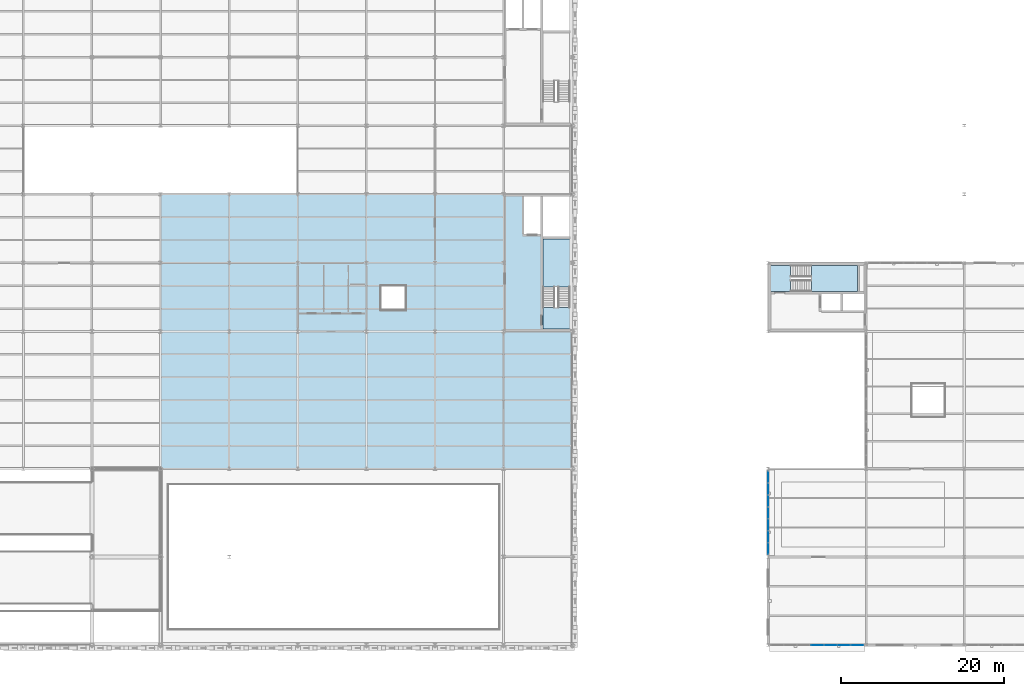
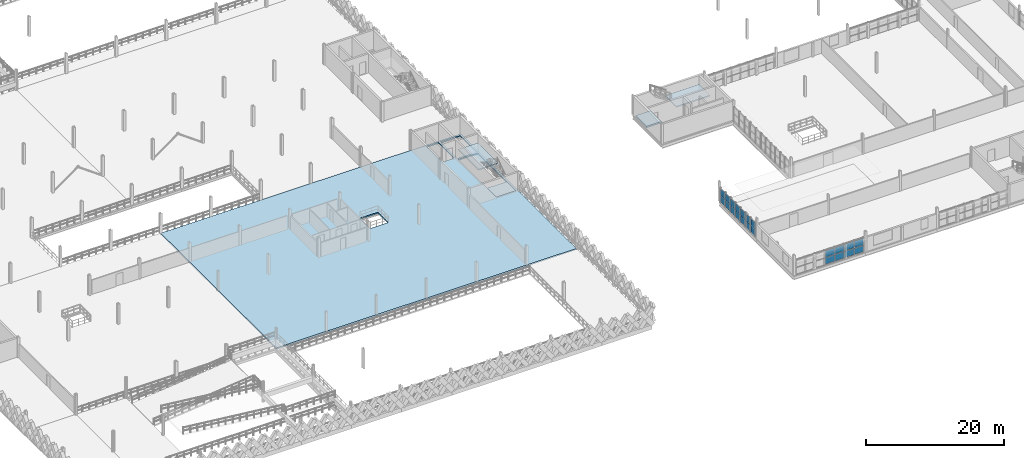
# One storey, part 49 of 79: 22 plates, 5 slabs, 4 elements without a shape of their own.
"""IFC4 building model written with IfcOpenShell, lengths in metres."""

from ifc_helpers import new_model, si_unit, direction, frame, origin, origin_2d, place, context, subcontext, project, spatial, polyline, rectangle, outline, extrude, material, layer, layer_set, type_object, element, aggregate, save


model = new_model("IFC4")

# Units and contexts
model_context = context("Model", 3, precision=1e-05, world=origin(), true_north=direction((0.0, 1.0)))
body_context = subcontext(model_context, "Body", "Model", "MODEL_VIEW")
ifc_project = project(units=[si_unit("LENGTHUNIT", "METRE"), si_unit("AREAUNIT", "SQUARE_METRE"), si_unit("VOLUMEUNIT", "CUBIC_METRE"), si_unit("PLANEANGLEUNIT", "RADIAN"), si_unit("MASSUNIT", "GRAM", prefix="KILO"), si_unit("THERMODYNAMICTEMPERATUREUNIT", "KELVIN"), si_unit("POWERUNIT", "WATT")], contexts=[model_context])

# Site, building, storey
site_placement = place(None, origin())
site = spatial("IfcSite", under=ifc_project, at=site_placement, CompositionType="ELEMENT")
building_placement = place(site_placement, origin())
building = spatial("IfcBuilding", under=site, at=building_placement, Name="Tembeka Court Mobility Hub", CompositionType="ELEMENT")
storey_placement = place(building_placement, frame((0.0, 0.0, 9.0)))
storey = spatial("IfcBuildingStorey", under=building, at=storey_placement, Name="L02", CompositionType="ELEMENT", Elevation=9.0)

# Curtain wall, plates
ifc_material_1 = material(Name="Anodised aluminium 6063-T6", Category="aluminium")
ifc_layer_1 = layer(ifc_material_1, 0.159912109375)
ifc_layer_set_1 = layer_set([ifc_layer_1], Name="Anodised aluminium 6063-T6")
curtain_wall_type_1 = type_object("IfcCurtainWallType", Name="CW-SYS48", PredefinedType="USERDEFINED", material=ifc_layer_set_1)
curtain_wall_1_placement = place(storey_placement, origin())
curtain_wall_1 = element("IfcCurtainWall", 1, at=curtain_wall_1_placement, inside=storey, type_object=curtain_wall_type_1, Name="Unitised curtain wall CW48 (CW-L02-119)", ObjectType="UNITISED GLAZING", PredefinedType="USERDEFINED")
ifc_material_2 = material(Name="Laminated solar-control low-E glass", Category="glass")
ifc_layer_2 = layer(ifc_material_2, 0.028076171875)
ifc_layer_set_2 = layer_set([ifc_layer_2], Name="Laminated solar-control low-E glass")
plate_type = type_object("IfcPlateType", Name="PL-CW01", PredefinedType="CURTAIN_PANEL", material=ifc_layer_set_2)
plate_1_placement = place(storey_placement, frame((122.413818359375, 0.0, 0.06494140625), z_axis=(0.0, 0.0, 1.0), x_axis=(1.0, 0.0, 0.0)))
plate_1 = element("IfcPlate", 2, at=plate_1_placement, type_object=plate_type, Name="CW48 panel 1.1", PredefinedType="CURTAIN_PANEL", context=body_context, shape_type="SweptSolid", body=[
    extrude(rectangle(XDim=1.53759765625, YDim=0.028076171875, at=origin_2d()), origin(), (0.0, 0.0, 1.0), 1.169921875),
])
plate_2_placement = place(storey_placement, frame((122.413818359375, 0.0, 1.300048828125), z_axis=(0.0, 0.0, 1.0), x_axis=(1.0, 0.0, 0.0)))
plate_2 = element("IfcPlate", 3, at=plate_2_placement, type_object=plate_type, Name="CW48 panel 1.2", PredefinedType="CURTAIN_PANEL", context=body_context, shape_type="SweptSolid", body=[
    extrude(rectangle(XDim=1.53759765625, YDim=0.028076171875, at=origin_2d()), origin(), (0.0, 0.0, 1.0), 1.169921875),
])
plate_3_placement = place(storey_placement, frame((124.032470703125, 0.0, 0.06494140625), z_axis=(0.0, 0.0, 1.0), x_axis=(1.0, 0.0, 0.0)))
plate_3 = element("IfcPlate", 4, at=plate_3_placement, type_object=plate_type, Name="CW48 panel 2.1", PredefinedType="CURTAIN_PANEL", context=body_context, shape_type="SweptSolid", body=[
    extrude(rectangle(XDim=1.570068359375, YDim=0.028076171875, at=origin_2d()), origin(), (0.0, 0.0, 1.0), 1.169921875),
])
plate_4_placement = place(storey_placement, frame((124.032470703125, 0.0, 1.300048828125), z_axis=(0.0, 0.0, 1.0), x_axis=(1.0, 0.0, 0.0)))
plate_4 = element("IfcPlate", 5, at=plate_4_placement, type_object=plate_type, Name="CW48 panel 2.2", PredefinedType="CURTAIN_PANEL", context=body_context, shape_type="SweptSolid", body=[
    extrude(rectangle(XDim=1.570068359375, YDim=0.028076171875, at=origin_2d()), origin(), (0.0, 0.0, 1.0), 1.169921875),
])
plate_5_placement = place(storey_placement, frame((125.66748046875, 0.0, 0.06494140625), z_axis=(0.0, 0.0, 1.0), x_axis=(1.0, 0.0, 0.0)))
plate_5 = element("IfcPlate", 6, at=plate_5_placement, type_object=plate_type, Name="CW48 panel 3.1", PredefinedType="CURTAIN_PANEL", context=body_context, shape_type="SweptSolid", body=[
    extrude(rectangle(XDim=1.570068359375, YDim=0.028076171875, at=origin_2d()), origin(), (0.0, 0.0, 1.0), 1.169921875),
])
plate_6_placement = place(storey_placement, frame((125.66748046875, 0.0, 1.300048828125), z_axis=(0.0, 0.0, 1.0), x_axis=(1.0, 0.0, 0.0)))
plate_6 = element("IfcPlate", 7, at=plate_6_placement, type_object=plate_type, Name="CW48 panel 3.2", PredefinedType="CURTAIN_PANEL", context=body_context, shape_type="SweptSolid", body=[
    extrude(rectangle(XDim=1.570068359375, YDim=0.028076171875, at=origin_2d()), origin(), (0.0, 0.0, 1.0), 1.169921875),
])
plate_7_placement = place(storey_placement, frame((127.2861328125, 0.0, 0.06494140625), z_axis=(0.0, 0.0, 1.0), x_axis=(1.0, 0.0, 0.0)))
plate_7 = element("IfcPlate", 8, at=plate_7_placement, type_object=plate_type, Name="CW48 panel 4.1", PredefinedType="CURTAIN_PANEL", context=body_context, shape_type="SweptSolid", body=[
    extrude(rectangle(XDim=1.53759765625, YDim=0.028076171875, at=origin_2d()), origin(), (0.0, 0.0, 1.0), 1.169921875),
])
plate_8_placement = place(storey_placement, frame((127.2861328125, 0.0, 1.300048828125), z_axis=(0.0, 0.0, 1.0), x_axis=(1.0, 0.0, 0.0)))
plate_8 = element("IfcPlate", 9, at=plate_8_placement, type_object=plate_type, Name="CW48 panel 4.2", PredefinedType="CURTAIN_PANEL", context=body_context, shape_type="SweptSolid", body=[
    extrude(rectangle(XDim=1.53759765625, YDim=0.028076171875, at=origin_2d()), origin(), (0.0, 0.0, 1.0), 1.169921875),
])
aggregate(curtain_wall_1, [plate_1, plate_2, plate_3, plate_4, plate_5, plate_6, plate_7, plate_8])

ifc_layer_3 = layer(ifc_material_1, 0.159912109375)
ifc_layer_set_3 = layer_set([ifc_layer_3], Name="Anodised aluminium 6063-T6")
curtain_wall_type_2 = type_object("IfcCurtainWallType", Name="CW-SYS42", PredefinedType="USERDEFINED", material=ifc_layer_set_3)
curtain_wall_2_placement = place(storey_placement, origin())
curtain_wall_2 = element("IfcCurtainWall", 10, at=curtain_wall_2_placement, inside=storey, type_object=curtain_wall_type_2, Name="Unitised curtain wall CW42 (CW-L02-130)", ObjectType="UNITISED GLAZING", PredefinedType="USERDEFINED")
plate_9_placement = place(storey_placement, frame((116.39990234375, 11.82763671875, 0.06494140625), z_axis=(0.0, 0.0, 1.0), x_axis=(0.0, 1.0, 0.0)))
plate_9 = element("IfcPlate", 11, at=plate_9_placement, type_object=plate_type, Name="CW42 panel 1.1", PredefinedType="CURTAIN_PANEL", context=body_context, shape_type="SweptSolid", body=[
    extrude(rectangle(XDim=1.365478515625, YDim=0.028076171875, at=origin_2d()), origin(), (0.0, 0.0, 1.0), 1.169921875),
])
plate_10_placement = place(storey_placement, frame((116.39990234375, 11.82763671875, 1.300048828125), z_axis=(0.0, 0.0, 1.0), x_axis=(0.0, 1.0, 0.0)))
plate_10 = element("IfcPlate", 12, at=plate_10_placement, type_object=plate_type, Name="CW42 panel 1.2", PredefinedType="CURTAIN_PANEL", context=body_context, shape_type="SweptSolid", body=[
    extrude(rectangle(XDim=1.365478515625, YDim=0.028076171875, at=origin_2d()), origin(), (0.0, 0.0, 1.0), 1.169921875),
])
plate_11_placement = place(storey_placement, frame((116.39990234375, 13.274169921875, 0.06494140625), z_axis=(0.0, 0.0, 1.0), x_axis=(0.0, 1.0, 0.0)))
plate_11 = element("IfcPlate", 13, at=plate_11_placement, type_object=plate_type, Name="CW42 panel 2.1", PredefinedType="CURTAIN_PANEL", context=body_context, shape_type="SweptSolid", body=[
    extrude(rectangle(XDim=1.39794921875, YDim=0.028076171875, at=origin_2d()), origin(), (0.0, 0.0, 1.0), 1.169921875),
])
plate_12_placement = place(storey_placement, frame((116.39990234375, 13.274169921875, 1.300048828125), z_axis=(0.0, 0.0, 1.0), x_axis=(0.0, 1.0, 0.0)))
plate_12 = element("IfcPlate", 14, at=plate_12_placement, type_object=plate_type, Name="CW42 panel 2.2", PredefinedType="CURTAIN_PANEL", context=body_context, shape_type="SweptSolid", body=[
    extrude(rectangle(XDim=1.39794921875, YDim=0.028076171875, at=origin_2d()), origin(), (0.0, 0.0, 1.0), 1.169921875),
])
plate_13_placement = place(storey_placement, frame((116.39990234375, 14.737060546875, 0.06494140625), z_axis=(0.0, 0.0, 1.0), x_axis=(0.0, 1.0, 0.0)))
plate_13 = element("IfcPlate", 15, at=plate_13_placement, type_object=plate_type, Name="CW42 panel 3.1", PredefinedType="CURTAIN_PANEL", context=body_context, shape_type="SweptSolid", body=[
    extrude(rectangle(XDim=1.39794921875, YDim=0.028076171875, at=origin_2d()), origin(), (0.0, 0.0, 1.0), 1.169921875),
])
plate_14_placement = place(storey_placement, frame((116.39990234375, 14.737060546875, 1.300048828125), z_axis=(0.0, 0.0, 1.0), x_axis=(0.0, 1.0, 0.0)))
plate_14 = element("IfcPlate", 16, at=plate_14_placement, type_object=plate_type, Name="CW42 panel 3.2", PredefinedType="CURTAIN_PANEL", context=body_context, shape_type="SweptSolid", body=[
    extrude(rectangle(XDim=1.39794921875, YDim=0.028076171875, at=origin_2d()), origin(), (0.0, 0.0, 1.0), 1.169921875),
])
plate_15_placement = place(storey_placement, frame((116.39990234375, 16.199951171875, 0.06494140625), z_axis=(0.0, 0.0, 1.0), x_axis=(0.0, 1.0, 0.0)))
plate_15 = element("IfcPlate", 17, at=plate_15_placement, type_object=plate_type, Name="CW42 panel 4.1", PredefinedType="CURTAIN_PANEL", context=body_context, shape_type="SweptSolid", body=[
    extrude(rectangle(XDim=1.39794921875, YDim=0.028076171875, at=origin_2d()), origin(), (0.0, 0.0, 1.0), 1.169921875),
])
plate_16_placement = place(storey_placement, frame((116.39990234375, 16.199951171875, 1.300048828125), z_axis=(0.0, 0.0, 1.0), x_axis=(0.0, 1.0, 0.0)))
plate_16 = element("IfcPlate", 18, at=plate_16_placement, type_object=plate_type, Name="CW42 panel 4.2", PredefinedType="CURTAIN_PANEL", context=body_context, shape_type="SweptSolid", body=[
    extrude(rectangle(XDim=1.39794921875, YDim=0.028076171875, at=origin_2d()), origin(), (0.0, 0.0, 1.0), 1.169921875),
])
plate_17_placement = place(storey_placement, frame((116.39990234375, 17.662841796875, 0.06494140625), z_axis=(0.0, 0.0, 1.0), x_axis=(0.0, 1.0, 0.0)))
plate_17 = element("IfcPlate", 19, at=plate_17_placement, type_object=plate_type, Name="CW42 panel 5.1", PredefinedType="CURTAIN_PANEL", context=body_context, shape_type="SweptSolid", body=[
    extrude(rectangle(XDim=1.39794921875, YDim=0.028076171875, at=origin_2d()), origin(), (0.0, 0.0, 1.0), 1.169921875),
])
plate_18_placement = place(storey_placement, frame((116.39990234375, 17.662841796875, 1.300048828125), z_axis=(0.0, 0.0, 1.0), x_axis=(0.0, 1.0, 0.0)))
plate_18 = element("IfcPlate", 20, at=plate_18_placement, type_object=plate_type, Name="CW42 panel 5.2", PredefinedType="CURTAIN_PANEL", context=body_context, shape_type="SweptSolid", body=[
    extrude(rectangle(XDim=1.39794921875, YDim=0.028076171875, at=origin_2d()), origin(), (0.0, 0.0, 1.0), 1.169921875),
])
plate_19_placement = place(storey_placement, frame((116.39990234375, 19.125732421875, 0.06494140625), z_axis=(0.0, 0.0, 1.0), x_axis=(0.0, 1.0, 0.0)))
plate_19 = element("IfcPlate", 21, at=plate_19_placement, type_object=plate_type, Name="CW42 panel 6.1", PredefinedType="CURTAIN_PANEL", context=body_context, shape_type="SweptSolid", body=[
    extrude(rectangle(XDim=1.39794921875, YDim=0.028076171875, at=origin_2d()), origin(), (0.0, 0.0, 1.0), 1.169921875),
])
plate_20_placement = place(storey_placement, frame((116.39990234375, 19.125732421875, 1.300048828125), z_axis=(0.0, 0.0, 1.0), x_axis=(0.0, 1.0, 0.0)))
plate_20 = element("IfcPlate", 22, at=plate_20_placement, type_object=plate_type, Name="CW42 panel 6.2", PredefinedType="CURTAIN_PANEL", context=body_context, shape_type="SweptSolid", body=[
    extrude(rectangle(XDim=1.39794921875, YDim=0.028076171875, at=origin_2d()), origin(), (0.0, 0.0, 1.0), 1.169921875),
])
plate_21_placement = place(storey_placement, frame((116.39990234375, 20.572265625, 0.06494140625), z_axis=(0.0, 0.0, 1.0), x_axis=(0.0, 1.0, 0.0)))
plate_21 = element("IfcPlate", 23, at=plate_21_placement, type_object=plate_type, Name="CW42 panel 7.1", PredefinedType="CURTAIN_PANEL", context=body_context, shape_type="SweptSolid", body=[
    extrude(rectangle(XDim=1.365478515625, YDim=0.028076171875, at=origin_2d()), origin(), (0.0, 0.0, 1.0), 1.169921875),
])
plate_22_placement = place(storey_placement, frame((116.39990234375, 20.572265625, 1.300048828125), z_axis=(0.0, 0.0, 1.0), x_axis=(0.0, 1.0, 0.0)))
plate_22 = element("IfcPlate", 24, at=plate_22_placement, type_object=plate_type, Name="CW42 panel 7.2", PredefinedType="CURTAIN_PANEL", context=body_context, shape_type="SweptSolid", body=[
    extrude(rectangle(XDim=1.365478515625, YDim=0.028076171875, at=origin_2d()), origin(), (0.0, 0.0, 1.0), 1.169921875),
])
aggregate(curtain_wall_2, [plate_9, plate_10, plate_11, plate_12, plate_13, plate_14, plate_15, plate_16, plate_17, plate_18, plate_19, plate_20, plate_21, plate_22])

# Slabs
ifc_material_3 = material(Name="Concrete C40/50", Category="concrete")
ifc_layer_4 = layer(ifc_material_3, 0.219970703125)
ifc_layer_set_4 = layer_set([ifc_layer_4], Name="Concrete C40/50")
slab_type_1 = type_object("IfcSlabType", Name="SL-FL02", PredefinedType="FLOOR", material=ifc_layer_set_4)
slab_1_placement = place(storey_placement, frame((0.0, 0.0, -0.219970703125)))
element("IfcSlab", 25, at=slab_1_placement, inside=storey, type_object=slab_type_1, Name="L02 ramped EV parking deck (V1SE)", PredefinedType="FLOOR", context=body_context, shape_type="SweptSolid", body=[
    extrude(outline(polyline([(42.0, 21.60009765625), (92.39990234375, 21.60009765625), (92.39990234375, 55.199951171875), (42.0, 55.199951171875), (42.0, 21.60009765625)]), holes=[polyline([(88.800048828125, 49.75), (92.10009765625, 49.75), (92.10009765625, 38.699951171875), (88.800048828125, 38.699951171875), (88.800048828125, 49.75)]), polyline([(86.5, 54.89990234375), (88.5, 54.89990234375), (88.5, 50.35009765625), (86.5, 50.35009765625), (86.5, 54.89990234375)]), polyline([(88.800048828125, 54.89990234375), (92.10009765625, 54.89990234375), (92.10009765625, 50.050048828125), (88.800048828125, 50.050048828125), (88.800048828125, 54.89990234375)]), polyline([(69.0, 44.0), (72.0, 44.0), (72.0, 41.0), (69.0, 41.0), (69.0, 44.0)])]), origin(), (0.0, 0.0, 1.0), 0.219970703125),
])
ifc_layer_5 = layer(ifc_material_3, 0.199951171875)
ifc_layer_set_5 = layer_set([ifc_layer_5], Name="Concrete C40/50")
slab_type_2 = type_object("IfcSlabType", Name="SL-LD01", PredefinedType="LANDING", material=ifc_layer_set_5)
slab_2_placement = place(storey_placement, frame((0.0, 0.0, -0.25)))
element("IfcSlab", 26, at=slab_2_placement, inside=storey, type_object=slab_type_2, Name="Stair ST04 L02 floor landing slab", PredefinedType="LANDING", context=body_context, shape_type="SweptSolid", body=[
    extrude(outline(polyline([(88.800048828125, 38.699951171875), (92.10009765625, 38.699951171875), (92.10009765625, 41.35009765625), (88.800048828125, 41.35009765625), (88.800048828125, 38.699951171875)])), origin(), (0.0, 0.0, 1.0), 0.25),
])

# Stair, slab
stair_type_1 = type_object("IfcStairType", Name="STR-ST04L02", PredefinedType="HALF_TURN_STAIR", material=ifc_material_3)
stair_1_placement = place(storey_placement, origin())
stair_1 = element("IfcStair", 27, at=stair_1_placement, inside=storey, type_object=stair_type_1, Name="Protected exit stair ST04 (L02)", PredefinedType="HALF_TURN_STAIR")
slab_3_placement = place(storey_placement, frame((0.0, 0.0, 1.60009765625)))
slab_3 = element("IfcSlab", 28, at=slab_3_placement, type_object=slab_type_2, Name="ST04L02 landing 1", PredefinedType="LANDING", context=body_context, shape_type="SweptSolid", body=[
    extrude(outline(polyline([(92.10009765625, 43.8701171875), (92.10009765625, 49.75), (88.800048828125, 49.75), (88.800048828125, 43.8701171875), (92.10009765625, 43.8701171875)])), origin(), (0.0, 0.0, 1.0), 0.199951171875),
])
aggregate(stair_1, [slab_3])

# Slab
slab_4_placement = place(storey_placement, frame((0.0, 0.0, -0.25)))
element("IfcSlab", 29, at=slab_4_placement, inside=storey, type_object=slab_type_2, Name="Stair ST05 L02 floor landing slab", PredefinedType="LANDING", context=body_context, shape_type="SweptSolid", body=[
    extrude(outline(polyline([(116.699951171875, 43.300048828125), (119.14990234375, 43.300048828125), (119.14990234375, 46.5), (116.699951171875, 46.5), (116.699951171875, 43.300048828125)])), origin(), (0.0, 0.0, 1.0), 0.25),
])

# Stair, slab
stair_type_2 = type_object("IfcStairType", Name="STR-ST05L02", PredefinedType="HALF_TURN_STAIR", material=ifc_material_3)
stair_2_placement = place(storey_placement, origin())
stair_2 = element("IfcStair", 30, at=stair_2_placement, inside=storey, type_object=stair_type_2, Name="Protected exit stair ST05 (L02)", PredefinedType="HALF_TURN_STAIR")
slab_5_placement = place(storey_placement, frame((0.0, 0.0, 1.60009765625)))
slab_5 = element("IfcSlab", 31, at=slab_5_placement, type_object=slab_type_2, Name="ST05L02 landing 1", PredefinedType="LANDING", context=body_context, shape_type="SweptSolid", body=[
    extrude(outline(polyline([(121.669921875, 43.300048828125), (127.300048828125, 43.300048828125), (127.300048828125, 46.5), (121.669921875, 46.5), (121.669921875, 43.300048828125)])), origin(), (0.0, 0.0, 1.0), 0.199951171875),
])
aggregate(stair_2, [slab_5])

save(model, "model.ifc")
